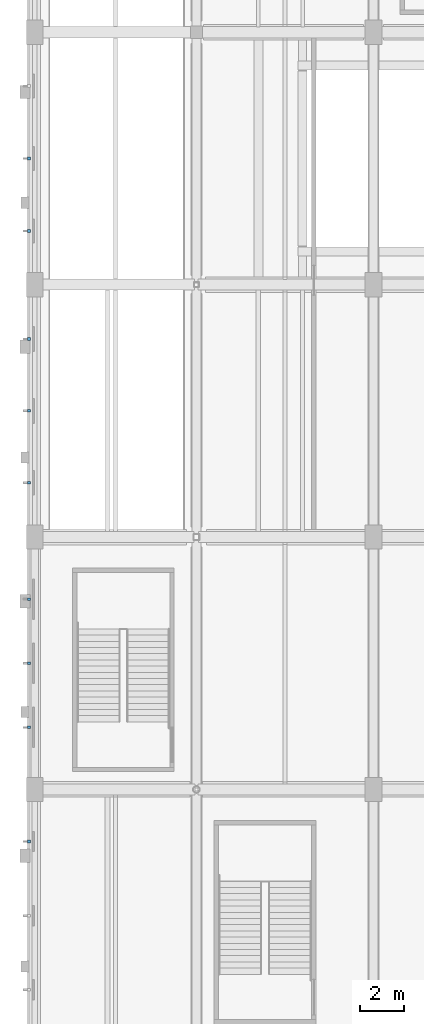
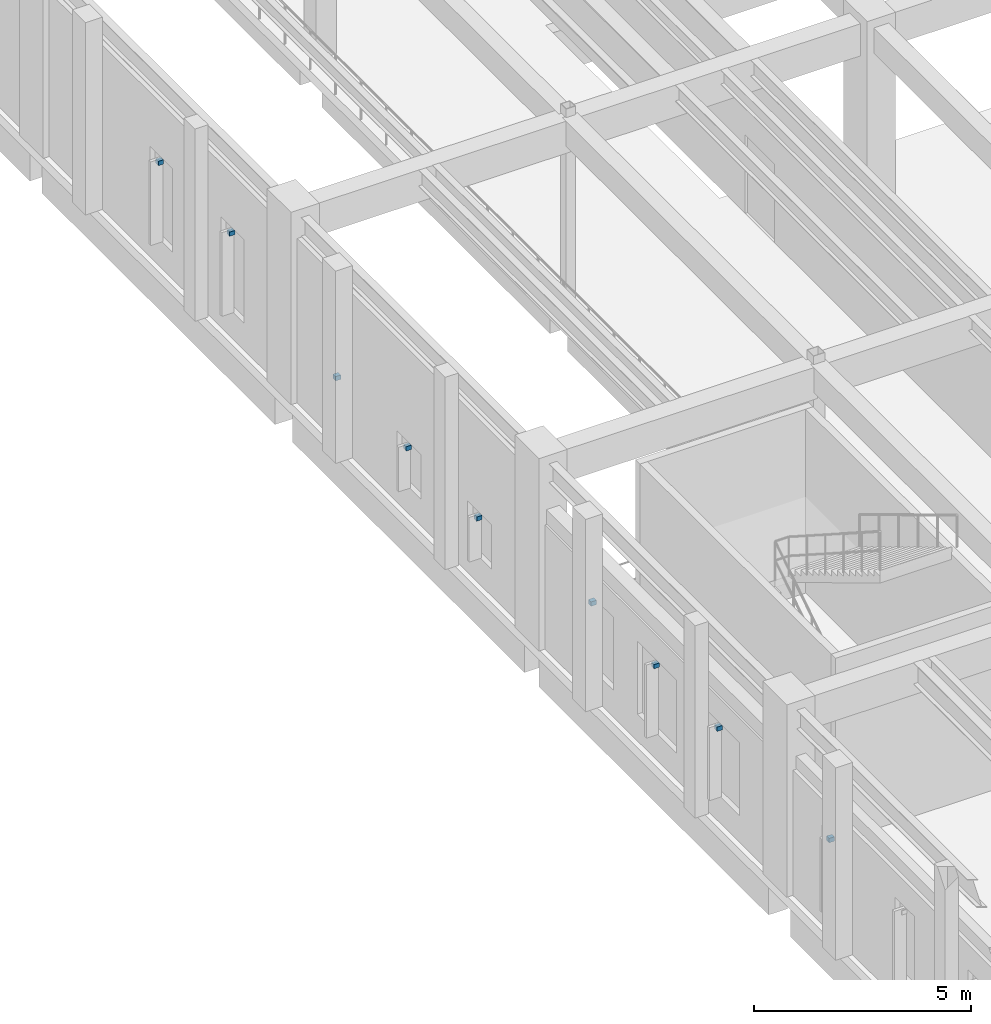
# One storey, part 99 of 113: 9 discrete accessories.
"""IFC4 building model written with IfcOpenShell, lengths in metres."""

from ifc_helpers import new_model, si_unit, direction, frame, origin, origin_2d, place, context, subcontext, project, spatial, rectangle, extrude, material, type_object, element, save


model = new_model("IFC4")

# Units and contexts
model_context = context("Model", 3, precision=1e-05, world=origin(), true_north=direction((0.0, 1.0)))
body_context = subcontext(model_context, "Body", "Model", "MODEL_VIEW")
ifc_project = project(units=[si_unit("LENGTHUNIT", "METRE"), si_unit("AREAUNIT", "SQUARE_METRE"), si_unit("VOLUMEUNIT", "CUBIC_METRE"), si_unit("PLANEANGLEUNIT", "RADIAN"), si_unit("MASSUNIT", "GRAM", prefix="KILO"), si_unit("POWERUNIT", "WATT"), si_unit("THERMODYNAMICTEMPERATUREUNIT", "KELVIN")], contexts=[model_context])

# Site, building, storey
site_placement = place(None, origin())
site = spatial("IfcSite", under=ifc_project, at=site_placement, CompositionType="ELEMENT")
building_placement = place(site_placement, origin())
building = spatial("IfcBuilding", under=site, at=building_placement, Name="Kelmbourne Parkland Aquatics Centre", CompositionType="ELEMENT")
storey_placement = place(building_placement, origin())
storey = spatial("IfcBuildingStorey", under=building, at=storey_placement, Name="L00", CompositionType="ELEMENT", Elevation=0.0)

# Discrete accessories
ifc_material = material(Name="Hot-dip galvanised structural steel AS/NZS 4680", Category="steel")
discrete_accessory_type = type_object("IfcDiscreteAccessoryType", Name="ACC-BRK-1", PredefinedType="BRACKET", material=ifc_material)
for number, where, z_axis, x_axis, name in (
    (1, (0.445068359375, 32.64794921875, 2.639892578125), (0.0, 0.0, 1.0), (0.0, 1.0, 0.0), "Galvanised sunshade fixing bracket 006"),
    (2, (0.445068359375, 37.802001953125, 2.639892578125), (0.0, 0.0, 1.0), (0.0, 1.0, 0.0), "Galvanised sunshade fixing bracket 007"),
    (3, (0.445068359375, 40.699951171875, 2.639892578125), (0.0, 0.0, 1.0), (0.0, 1.0, 0.0), "Galvanised sunshade fixing bracket 008"),
    (4, (0.445068359375, 43.597900390625, 2.639892578125), (0.0, 0.0, 1.0), (0.0, 1.0, 0.0), "Galvanised sunshade fixing bracket 009"),
    (5, (0.445068359375, 48.85205078125, 1.83984375), (0.0, 0.0, 1.0), (0.0, 1.0, 0.0), "Galvanised sunshade fixing bracket 010"),
    (6, (0.445068359375, 52.10009765625, 1.83984375), (0.0, 0.0, 1.0), (0.0, 1.0, 0.0), "Galvanised sunshade fixing bracket 011"),
    (7, (0.445068359375, 55.347900390625, 1.83984375), (0.0, 0.0, 1.0), (0.0, 1.0, 0.0), "Galvanised sunshade fixing bracket 012"),
    (8, (0.445068359375, 60.22705078125, 2.93994140625), (0.0, 0.0, 1.0), (0.0, 1.0, 0.0), "Galvanised sunshade fixing bracket 013"),
    (9, (0.445068359375, 63.5, 2.93994140625), (0.0, 0.0, 1.0), (0.0, 1.0, 0.0), "Galvanised sunshade fixing bracket 014"),
):
    element("IfcDiscreteAccessory", number, at=place(storey_placement, frame(where, z_axis=z_axis, x_axis=x_axis)), inside=storey, type_object=discrete_accessory_type, Name=name, PredefinedType="BRACKET", context=body_context, shape_type="SweptSolid", body=[
        extrude(rectangle(XDim=0.1201171875, YDim=0.139892578125, at=origin_2d()), origin(), (0.0, 0.0, 1.0), 0.1201171875),
    ])

save(model, "model.ifc")
